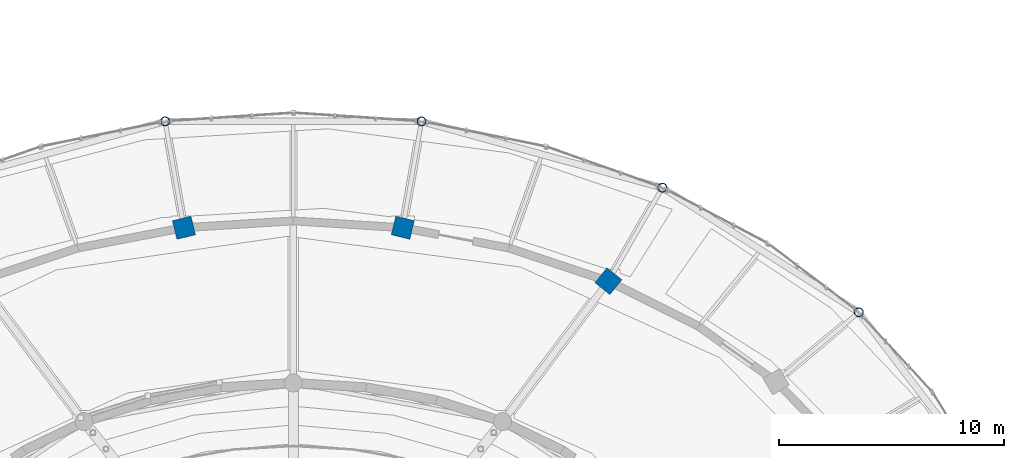
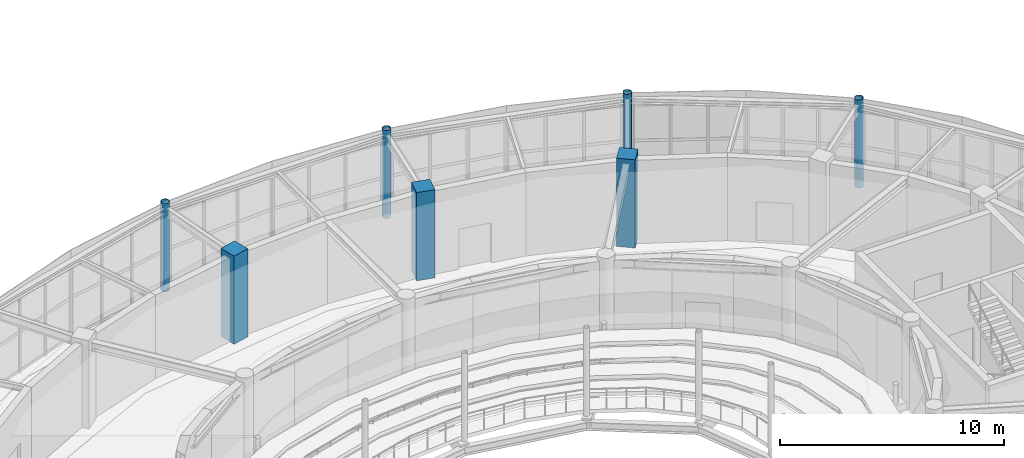
# One storey, part 11 of 100: 7 columns.
"""IFC4 building model written with IfcOpenShell, lengths in metres."""

from ifc_helpers import new_model, si_unit, direction, frame, origin, origin_2d, place, context, subcontext, project, spatial, rectangle, hollow_circle, extrude, material, material_profile, profile_set, type_object, element, save


model = new_model("IFC4")

# Units and contexts
model_context = context("Model", 3, precision=1e-05, world=origin(), true_north=direction((0.0, 1.0)))
body_context = subcontext(model_context, "Body", "Model", "MODEL_VIEW")
ifc_project = project(units=[si_unit("LENGTHUNIT", "METRE"), si_unit("AREAUNIT", "SQUARE_METRE"), si_unit("VOLUMEUNIT", "CUBIC_METRE"), si_unit("PLANEANGLEUNIT", "RADIAN"), si_unit("MASSUNIT", "GRAM", prefix="KILO")], contexts=[model_context])

# Site, building, storey
site_placement = place(None, origin())
site = spatial("IfcSite", under=ifc_project, at=site_placement, CompositionType="ELEMENT")
building_placement = place(site_placement, origin())
building = spatial("IfcBuilding", under=site, at=building_placement, Name="Tarnveldt Headland Concert Hall", CompositionType="ELEMENT")
storey_placement = place(building_placement, frame((0.0, 0.0, 4.800048828125)))
storey = spatial("IfcBuildingStorey", under=building, at=storey_placement, Name="L01", CompositionType="ELEMENT", Elevation=4.800048828125)

# Columns
ifc_material_1 = material(Name="Concrete C40/50", Category="concrete")
ifc_material_profile_1 = material_profile(ifc_material_1, rectangle(XDim=0.85009765625, YDim=0.85009765625, at=origin_2d()), Name="RC 850x850", Category="concrete")
ifc_profile_set_1 = profile_set([ifc_material_profile_1], Name="Concrete C40/50")
column_type_1 = type_object("IfcColumnType", Name="CC-850", PredefinedType="COLUMN", material=ifc_profile_set_1)
for number, where, z_axis, x_axis, name in (
    (1, (97.5, 71.820556640625, 0.0), (0.0, 0.0, 1.0), (0.628641963719, 0.777694851116, 0.0), "Column V2DC04 L01"),
    (2, (88.362060546875, 74.1962890625, 0.0), (0.0, 0.0, 1.0), (0.239719743609, 0.970842131618, 0.0), "Column V2DC05 L01"),
    (3, (78.637939453125, 74.1962890625, 0.0), (0.0, 0.0, 1.0), (-0.239719743609, 0.970842131618, 0.0), "Column V2DC06 L01"),
):
    element("IfcColumn", number, at=place(storey_placement, frame(where, z_axis=z_axis, x_axis=x_axis)), inside=storey, type_object=column_type_1, Name=name, PredefinedType="COLUMN", context=body_context, shape_type="SweptSolid", body=[
        extrude(rectangle(XDim=0.85009765625, YDim=0.85009765625, at=origin_2d()), origin(), (0.0, 0.0, 1.0), 4.800048828125),
    ])
ifc_material_2 = material(Name="Steel S355", Category="steel")
ifc_material_profile_2 = material_profile(ifc_material_2, hollow_circle(Radius=0.203125, WallThickness=0.02490234375, at=origin_2d()), Name="CHS 406.4x25", Category="steel")
ifc_profile_set_2 = profile_set([ifc_material_profile_2], Name="Steel S355")
column_type_2 = type_object("IfcColumnType", Name="SC-CHS406", PredefinedType="COLUMN", material=ifc_profile_set_2)
for number, where, z_axis, x_axis, name in (
    (4, (108.626220703125, 70.441162109375, 0.0), (0.0, 0.0, 1.0), (0.84442143206, 0.535679423796, 0.0), "Column V1C03 L01"),
    (5, (99.89990234375, 75.977294921875, 0.0), (0.0, 0.0, 1.0), (0.606959801962, 0.79473253287, 0.0), "Column V1C04 L01"),
    (6, (89.19580078125, 78.923095703125, 0.0), (0.0, 0.0, 1.0), (0.227161248969, 0.973857159427, 0.0), "Column V1C05 L01"),
    (7, (77.80419921875, 78.923095703125, 0.0), (0.0, 0.0, 1.0), (-0.227161248969, 0.973857159427, 0.0), "Column V1C06 L01"),
):
    element("IfcColumn", number, at=place(storey_placement, frame(where, z_axis=z_axis, x_axis=x_axis)), inside=storey, type_object=column_type_2, Name=name, PredefinedType="COLUMN", context=body_context, shape_type="SweptSolid", body=[
        extrude(hollow_circle(Radius=0.203125, WallThickness=0.02490234375, at=origin_2d()), origin(), (0.0, 0.0, 1.0), 4.800048828125),
    ])

save(model, "model.ifc")
